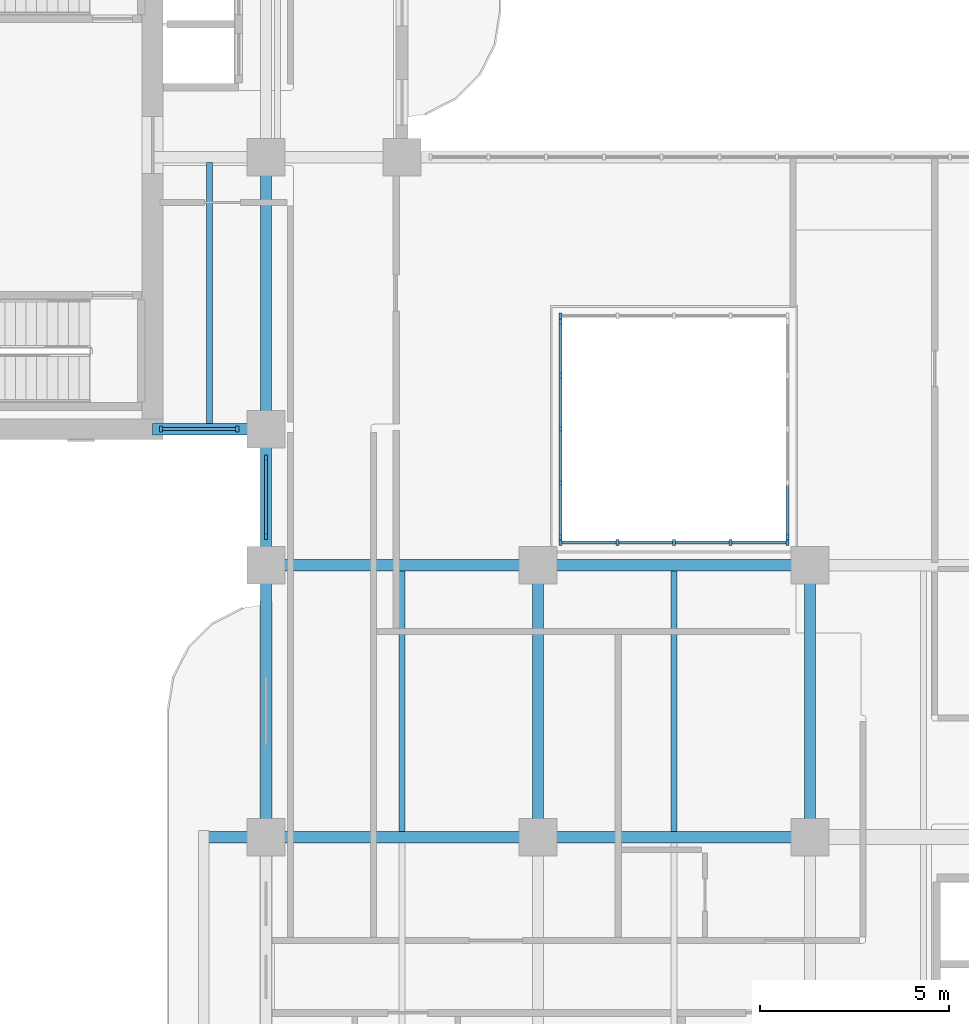
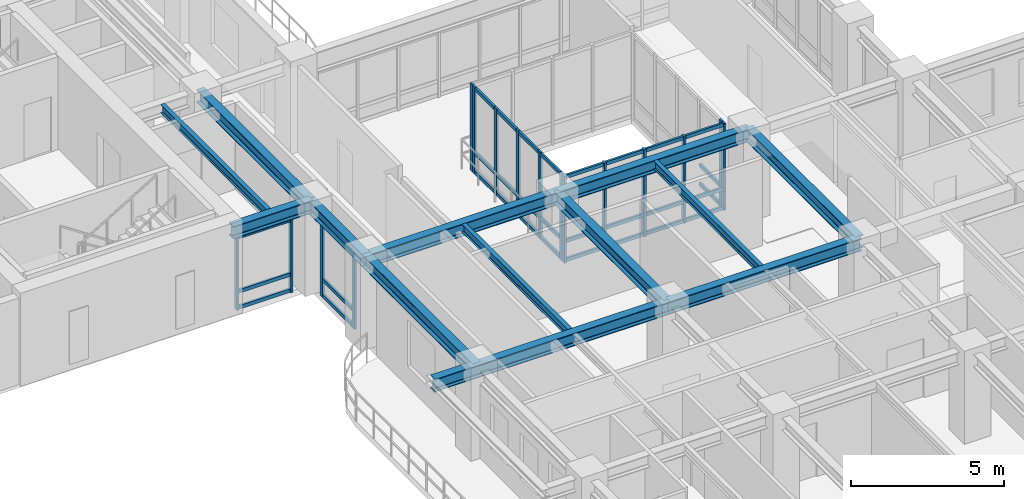
# One storey, part 2 of 20: 48 members, 13 beams, 6 elements without a shape of their own.
"""IFC4 building model written with IfcOpenShell, lengths in metres."""

from ifc_helpers import new_model, si_unit, derived_unit, direction, frame, origin, origin_2d, place, context, subcontext, project, spatial, rectangle, i_section, extrude, source, transform, mapped, material, layer, layer_set, material_profile, profile_set, type_object, type_shapes, element, aggregate, save


model = new_model("IFC4")

# Units and contexts
model_context = context("Model", 3, precision=1e-05, world=origin(), true_north=direction((0.0, 1.0)))
body_context = subcontext(model_context, "Body", "Model", "MODEL_VIEW")
ifc_project = project(units=[si_unit("LENGTHUNIT", "METRE"), si_unit("AREAUNIT", "SQUARE_METRE"), si_unit("VOLUMEUNIT", "CUBIC_METRE"), si_unit("PLANEANGLEUNIT", "RADIAN"), si_unit("MASSUNIT", "GRAM", prefix="KILO"), si_unit("THERMODYNAMICTEMPERATUREUNIT", "KELVIN"), si_unit("POWERUNIT", "WATT"), derived_unit("THERMALTRANSMITTANCEUNIT", [(si_unit("POWERUNIT", "WATT"), 1), (si_unit("AREAUNIT", "SQUARE_METRE"), -1), (si_unit("THERMODYNAMICTEMPERATUREUNIT", "KELVIN"), -1)])], contexts=[model_context])

# Site, building, storey
site_placement = place(None, origin())
site = spatial("IfcSite", under=ifc_project, at=site_placement, CompositionType="ELEMENT")
building_placement = place(site_placement, origin())
building = spatial("IfcBuilding", under=site, at=building_placement, Name="Zahravan Archway Hotel and Residences", CompositionType="ELEMENT")
storey_placement = place(building_placement, frame((0.0, 0.0, 115.5)))
storey = spatial("IfcBuildingStorey", under=building, at=storey_placement, Name="L28", CompositionType="ELEMENT", Elevation=115.5)

# Beams
ifc_material_1 = material(Name="Structural Steel S355JR", Category="steel")
ifc_material_profile_1 = material_profile(ifc_material_1, i_section(OverallWidth=0.300048828125, OverallDepth=0.5, WebThickness=0.014404296875, FlangeThickness=0.028076171875, FilletRadius=0.027099609375, at=origin_2d()), Name="HEB 500", Category="steel")
ifc_profile_set_1 = profile_set([ifc_material_profile_1], Name="Structural Steel S355JR")
beam_type_1 = type_object("IfcBeamType", Name="BM-PRI-HEB500", PredefinedType="BEAM", material=ifc_profile_set_1)
shared_shape_1 = source(origin(), body_context, "Body", "SweptSolid", [
    extrude(i_section(OverallWidth=0.300048828125, OverallDepth=0.5, WebThickness=0.014404296875, FlangeThickness=0.028076171875, FilletRadius=0.027099609375, at=origin_2d()), origin(), (0.0, 0.0, 1.0), 7.2001953125),
])
type_shapes(beam_type_1, [shared_shape_1])
for number, where, z_axis, x_axis, name in (
    (1, (14.39990234375, 21.60009765625, 3.199951171875), (1.0, 0.0, 0.0), (0.0, 1.0, 0.0), "L28 Primary Girder EW-11"),
    (2, (14.39990234375, 14.39990234375, 3.199951171875), (0.0, 1.0, 0.0), (-1.0, 0.0, 0.0), "L28 Primary Girder NS-30"),
    (3, (21.60009765625, 14.39990234375, 3.199951171875), (0.0, 1.0, 0.0), (-1.0, 0.0, 0.0), "L28 Primary Girder NS-37"),
    (4, (28.800048828125, 14.39990234375, 3.199951171875), (0.0, 1.0, 0.0), (-1.0, 0.0, 0.0), "L28 Primary Girder NS-40"),
):
    element("IfcBeam", number, at=place(storey_placement, frame(where, z_axis=z_axis, x_axis=x_axis)), inside=storey, type_object=beam_type_1, Name=name, PredefinedType="BEAM", context=body_context, shape_type="MappedRepresentation", body=[
        mapped(shared_shape_1, transform((0.0, 0.0, 0.0), scale=1.0)),
    ])
shared_shape_2 = source(origin(), body_context, "Body", "SweptSolid", [
    extrude(i_section(OverallWidth=0.300048828125, OverallDepth=0.5, WebThickness=0.014404296875, FlangeThickness=0.028076171875, FilletRadius=0.027099609375, at=origin_2d()), origin(), (0.0, 0.0, 1.0), 7.199951171875),
])
for number, where, z_axis, x_axis, name in (
    (5, (21.60009765625, 14.39990234375, 3.199951171875), (1.0, 0.0, 0.0), (0.0, 1.0, 0.0), "L28 Primary Girder EW-10"),
    (6, (21.60009765625, 21.60009765625, 3.199951171875), (1.0, 0.0, 0.0), (0.0, 1.0, 0.0), "L28 Primary Girder EW-12"),
    (7, (14.39990234375, 25.199951171875, 3.199951171875), (0.0, 1.0, 0.0), (-1.0, 0.0, 0.0), "L28 Primary Girder NS-32"),
):
    element("IfcBeam", number, at=place(storey_placement, frame(where, z_axis=z_axis, x_axis=x_axis)), inside=storey, type_object=beam_type_1, Name=name, PredefinedType="BEAM", context=body_context, shape_type="MappedRepresentation", body=[
        mapped(shared_shape_2, transform((0.0, 0.0, 0.0), scale=1.0)),
    ])
shared_shape_3 = source(origin(), body_context, "Body", "SweptSolid", [
    extrude(i_section(OverallWidth=0.300048828125, OverallDepth=0.5, WebThickness=0.014404296875, FlangeThickness=0.028076171875, FilletRadius=0.027099609375, at=origin_2d()), origin(), (0.0, 0.0, 1.0), 3.0),
])
beam_1_placement = place(storey_placement, frame((11.39990234375, 25.199951171875, 3.199951171875), z_axis=(1.0, 0.0, 0.0), x_axis=(0.0, 1.0, 0.0)))
element("IfcBeam", 8, at=beam_1_placement, inside=storey, type_object=beam_type_1, Name="L28 Primary Girder EW-16", PredefinedType="BEAM", context=body_context, shape_type="MappedRepresentation", body=[
    mapped(shared_shape_3, transform((0.0, 0.0, 0.0), scale=1.0)),
])
shared_shape_4 = source(origin(), body_context, "Body", "SweptSolid", [
    extrude(i_section(OverallWidth=0.300048828125, OverallDepth=0.5, WebThickness=0.014404296875, FlangeThickness=0.028076171875, FilletRadius=0.027099609375, at=origin_2d()), origin(), (0.0, 0.0, 1.0), 3.599853515625),
])
beam_2_placement = place(storey_placement, frame((14.39990234375, 21.60009765625, 3.199951171875), z_axis=(0.0, 1.0, 0.0), x_axis=(-1.0, 0.0, 0.0)))
element("IfcBeam", 9, at=beam_2_placement, inside=storey, type_object=beam_type_1, Name="L28 Primary Girder NS-31", PredefinedType="BEAM", context=body_context, shape_type="MappedRepresentation", body=[
    mapped(shared_shape_4, transform((0.0, 0.0, 0.0), scale=1.0)),
])
ifc_material_profile_2 = material_profile(ifc_material_1, i_section(OverallWidth=0.159912109375, OverallDepth=0.330078125, WebThickness=0.007568359375, FlangeThickness=0.011474609375, FilletRadius=0.01806640625, at=origin_2d()), Name="IPE 330", Category="steel")
ifc_profile_set_2 = profile_set([ifc_material_profile_2], Name="Structural Steel S355JR")
beam_type_2 = type_object("IfcBeamType", Name="BM-JST-IPE330", PredefinedType="JOIST", material=ifc_profile_set_2)
shared_shape_5 = source(origin(), body_context, "Body", "SweptSolid", [
    extrude(i_section(OverallWidth=0.159912109375, OverallDepth=0.330078125, WebThickness=0.007568359375, FlangeThickness=0.011474609375, FilletRadius=0.01806640625, at=origin_2d()), origin(), (0.0, 0.0, 1.0), 6.904052734375),
])
type_shapes(beam_type_2, [shared_shape_5])
beam_3_placement = place(storey_placement, frame((12.89990234375, 25.347900390625, 3.284912109375), z_axis=(0.0, 1.0, 0.0), x_axis=(-1.0, 0.0, 0.0)))
element("IfcBeam", 10, at=beam_3_placement, inside=storey, type_object=beam_type_2, Name="L28 Composite Floor Joist 10", PredefinedType="JOIST", context=body_context, shape_type="MappedRepresentation", body=[
    mapped(shared_shape_5, transform((0.0, 0.0, 0.0), scale=1.0)),
])
shared_shape_6 = source(origin(), body_context, "Body", "SweptSolid", [
    extrude(i_section(OverallWidth=0.159912109375, OverallDepth=0.330078125, WebThickness=0.007568359375, FlangeThickness=0.011474609375, FilletRadius=0.01806640625, at=origin_2d()), origin(), (0.0, 0.0, 1.0), 6.90380859375),
])
for number, where, z_axis, x_axis, name in (
    (11, (18.0, 14.548095703125, 3.284912109375), (0.0, 1.0, 0.0), (-1.0, 0.0, 0.0), "L28 Composite Floor Joist 08"),
    (12, (25.199951171875, 14.548095703125, 3.284912109375), (0.0, 1.0, 0.0), (-1.0, 0.0, 0.0), "L28 Composite Floor Joist 09"),
):
    element("IfcBeam", number, at=place(storey_placement, frame(where, z_axis=z_axis, x_axis=x_axis)), inside=storey, type_object=beam_type_2, Name=name, PredefinedType="JOIST", context=body_context, shape_type="MappedRepresentation", body=[
        mapped(shared_shape_6, transform((0.0, 0.0, 0.0), scale=1.0)),
    ])
shared_shape_7 = source(origin(), body_context, "Body", "SweptSolid", [
    extrude(i_section(OverallWidth=0.300048828125, OverallDepth=0.5, WebThickness=0.014404296875, FlangeThickness=0.028076171875, FilletRadius=0.027099609375, at=origin_2d()), origin(), (0.0, 0.0, 1.0), 8.85009765625),
])
beam_4_placement = place(storey_placement, frame((12.75, 14.39990234375, 3.199951171875), z_axis=(1.0, 0.0, 0.0), x_axis=(0.0, 1.0, 0.0)))
element("IfcBeam", 13, at=beam_4_placement, inside=storey, type_object=beam_type_1, Name="L28 Primary Girder EW-09", PredefinedType="BEAM", context=body_context, shape_type="MappedRepresentation", body=[
    mapped(shared_shape_7, transform((0.0, 0.0, 0.0), scale=1.0)),
])

# Curtain wall, members
ifc_material_2 = material(Name="Bronze-Anodized Unitised Aluminium & Low-E Glass", Category="aluminium")
ifc_layer = layer(ifc_material_2, 0.179931640625, Name="Bronze-Anodized Unitised Aluminium & Low-E Glass", Category="aluminium")
ifc_layer_set = layer_set([ifc_layer], Name="Bronze-Anodized Unitised Aluminium & Low-E Glass")
curtain_wall_type = type_object("IfcCurtainWallType", Name="CW-ATR-GLAZ", PredefinedType="NOTDEFINED", material=ifc_layer_set)
curtain_wall_1_placement = place(storey_placement, origin())
curtain_wall_1 = element("IfcCurtainWall", 14, at=curtain_wall_1_placement, inside=storey, type_object=curtain_wall_type, Name="L28 Curtain Wall CW-L28-WB-SE-1", PredefinedType="NOTDEFINED")
ifc_material_3 = material(Name="Bronze-Anodized Extruded Aluminium", Category="aluminium")
ifc_material_profile_3 = material_profile(ifc_material_3, rectangle(XDim=0.080078125, YDim=0.139892578125, at=origin_2d()), Name="TRN 80x140", Category="aluminium")
ifc_profile_set_3 = profile_set([ifc_material_profile_3], Name="Bronze-Anodized Extruded Aluminium")
member_type_1 = type_object("IfcMemberType", Name="CWM-TRN-140", PredefinedType="USERDEFINED", material=ifc_profile_set_3)
shared_shape_8 = source(origin(), body_context, "Body", "SweptSolid", [
    extrude(rectangle(XDim=0.080078125, YDim=0.139892578125, at=origin_2d()), origin(), (0.0, 0.0, 1.0), 1.940185546875),
])
member_1_placement = place(storey_placement, frame((11.659912109375, 25.199951171875, 0.070068359375), z_axis=(1.0, 0.0, 0.0), x_axis=(0.0, 1.0, 0.0)))
member_1 = element("IfcMember", 15, at=member_1_placement, type_object=member_type_1, Name="CW-L28-WB-SE-1 Transom 0-1", ObjectType="TRANSOM", PredefinedType="USERDEFINED", context=body_context, shape_type="MappedRepresentation", body=[
    mapped(shared_shape_8, transform((0.0, 0.0, 0.0), scale=1.0)),
])
member_2_placement = place(storey_placement, frame((11.659912109375, 25.199951171875, 0.704345703125), z_axis=(1.0, 0.0, 0.0), x_axis=(0.0, 1.0, 0.0)))
member_2 = element("IfcMember", 16, at=member_2_placement, type_object=member_type_1, Name="CW-L28-WB-SE-1 Transom 0-2", ObjectType="TRANSOM", PredefinedType="USERDEFINED", context=body_context, shape_type="MappedRepresentation", body=[
    mapped(shared_shape_8, transform((0.0, 0.0, 0.0), scale=1.0)),
])
member_3_placement = place(storey_placement, frame((11.659912109375, 25.199951171875, 2.864990234375), z_axis=(1.0, 0.0, 0.0), x_axis=(0.0, 1.0, 0.0)))
member_3 = element("IfcMember", 17, at=member_3_placement, type_object=member_type_1, Name="CW-L28-WB-SE-1 Transom 0-3", ObjectType="TRANSOM", PredefinedType="USERDEFINED", context=body_context, shape_type="MappedRepresentation", body=[
    mapped(shared_shape_8, transform((0.0, 0.0, 0.0), scale=1.0)),
])

curtain_wall_2_placement = place(storey_placement, origin())
curtain_wall_2 = element("IfcCurtainWall", 18, at=curtain_wall_2_placement, inside=storey, type_object=curtain_wall_type, Name="L28 Curtain Wall CW-L28-WA-WLU-1", PredefinedType="NOTDEFINED")
shared_shape_9 = source(origin(), body_context, "Body", "SweptSolid", [
    extrude(rectangle(XDim=0.080078125, YDim=0.139892578125, at=origin_2d()), origin(), (0.0, 0.0, 1.0), 2.0),
])
member_4_placement = place(storey_placement, frame((14.39990234375, 22.39990234375, 0.070068359375), z_axis=(0.0, 1.0, 0.0), x_axis=(-1.0, 0.0, 0.0)))
member_4 = element("IfcMember", 19, at=member_4_placement, type_object=member_type_1, Name="CW-L28-WA-WLU-1 Transom 0-1", ObjectType="TRANSOM", PredefinedType="USERDEFINED", context=body_context, shape_type="MappedRepresentation", body=[
    mapped(shared_shape_9, transform((0.0, 0.0, 0.0), scale=1.0)),
])
member_5_placement = place(storey_placement, frame((14.39990234375, 22.39990234375, 0.704345703125), z_axis=(0.0, 1.0, 0.0), x_axis=(-1.0, 0.0, 0.0)))
member_5 = element("IfcMember", 20, at=member_5_placement, type_object=member_type_1, Name="CW-L28-WA-WLU-1 Transom 0-2", ObjectType="TRANSOM", PredefinedType="USERDEFINED", context=body_context, shape_type="MappedRepresentation", body=[
    mapped(shared_shape_9, transform((0.0, 0.0, 0.0), scale=1.0)),
])
member_6_placement = place(storey_placement, frame((14.39990234375, 22.39990234375, 2.864990234375), z_axis=(0.0, 1.0, 0.0), x_axis=(-1.0, 0.0, 0.0)))
member_6 = element("IfcMember", 21, at=member_6_placement, type_object=member_type_1, Name="CW-L28-WA-WLU-1 Transom 0-3", ObjectType="TRANSOM", PredefinedType="USERDEFINED", context=body_context, shape_type="MappedRepresentation", body=[
    mapped(shared_shape_9, transform((0.0, 0.0, 0.0), scale=1.0)),
])

curtain_wall_3_placement = place(storey_placement, origin())
curtain_wall_3 = element("IfcCurtainWall", 22, at=curtain_wall_3_placement, inside=storey, type_object=curtain_wall_type, Name="L28 Curtain Wall CW-ATR-L28-S-1", PredefinedType="NOTDEFINED")
ifc_material_profile_4 = material_profile(ifc_material_3, rectangle(XDim=0.080078125, YDim=0.159912109375, at=origin_2d()), Name="MUL 80x160", Category="aluminium")
ifc_profile_set_4 = profile_set([ifc_material_profile_4], Name="Bronze-Anodized Extruded Aluminium")
member_type_2 = type_object("IfcMemberType", Name="CWM-MUL-160", PredefinedType="MULLION", material=ifc_profile_set_4)
shared_shape_10 = source(origin(), body_context, "Body", "SweptSolid", [
    extrude(rectangle(XDim=0.080078125, YDim=0.159912109375, at=origin_2d()), origin(), (0.0, 0.0, 1.0), 3.449951171875),
])
member_7_placement = place(storey_placement, frame((22.199951171875, 22.199951171875, 0.0), z_axis=(0.0, 0.0, 1.0), x_axis=(1.0, 0.0, 0.0)))
member_7 = element("IfcMember", 23, at=member_7_placement, type_object=member_type_2, Name="CW-ATR-L28-S-1 Mullion 0", PredefinedType="MULLION", context=body_context, shape_type="MappedRepresentation", body=[
    mapped(shared_shape_10, transform((0.0, 0.0, 0.0), scale=1.0)),
])
member_8_placement = place(storey_placement, frame((23.699951171875, 22.199951171875, 0.0), z_axis=(0.0, 0.0, 1.0), x_axis=(1.0, 0.0, 0.0)))
member_8 = element("IfcMember", 24, at=member_8_placement, type_object=member_type_2, Name="CW-ATR-L28-S-1 Mullion 1", PredefinedType="MULLION", context=body_context, shape_type="MappedRepresentation", body=[
    mapped(shared_shape_10, transform((0.0, 0.0, 0.0), scale=1.0)),
])
member_9_placement = place(storey_placement, frame((25.199951171875, 22.199951171875, 0.0), z_axis=(0.0, 0.0, 1.0), x_axis=(1.0, 0.0, 0.0)))
member_9 = element("IfcMember", 25, at=member_9_placement, type_object=member_type_2, Name="CW-ATR-L28-S-1 Mullion 2", PredefinedType="MULLION", context=body_context, shape_type="MappedRepresentation", body=[
    mapped(shared_shape_10, transform((0.0, 0.0, 0.0), scale=1.0)),
])
member_10_placement = place(storey_placement, frame((26.699951171875, 22.199951171875, 0.0), z_axis=(0.0, 0.0, 1.0), x_axis=(1.0, 0.0, 0.0)))
member_10 = element("IfcMember", 26, at=member_10_placement, type_object=member_type_2, Name="CW-ATR-L28-S-1 Mullion 3", PredefinedType="MULLION", context=body_context, shape_type="MappedRepresentation", body=[
    mapped(shared_shape_10, transform((0.0, 0.0, 0.0), scale=1.0)),
])
member_11_placement = place(storey_placement, frame((28.199951171875, 22.199951171875, 0.0), z_axis=(0.0, 0.0, 1.0), x_axis=(1.0, 0.0, 0.0)))
member_11 = element("IfcMember", 27, at=member_11_placement, type_object=member_type_2, Name="CW-ATR-L28-S-1 Mullion 4", PredefinedType="MULLION", context=body_context, shape_type="MappedRepresentation", body=[
    mapped(shared_shape_10, transform((0.0, 0.0, 0.0), scale=1.0)),
])

# Curtain wall, member
curtain_wall_4_placement = place(storey_placement, origin())
curtain_wall_4 = element("IfcCurtainWall", 28, at=curtain_wall_4_placement, inside=storey, type_object=curtain_wall_type, Name="L28 Curtain Wall CW-ATR-L28-N-1", PredefinedType="NOTDEFINED")
member_12_placement = place(storey_placement, frame((22.199951171875, 28.199951171875, 0.0), z_axis=(0.0, 0.0, 1.0), x_axis=(1.0, 0.0, 0.0)))
member_12 = element("IfcMember", 29, at=member_12_placement, type_object=member_type_2, Name="CW-ATR-L28-N-1 Mullion 0", PredefinedType="MULLION", context=body_context, shape_type="MappedRepresentation", body=[
    mapped(shared_shape_10, transform((0.0, 0.0, 0.0), scale=1.0)),
])
aggregate(curtain_wall_4, [member_12])

# Curtain wall, members
curtain_wall_5_placement = place(storey_placement, origin())
curtain_wall_5 = element("IfcCurtainWall", 30, at=curtain_wall_5_placement, inside=storey, type_object=curtain_wall_type, Name="L28 Curtain Wall CW-ATR-L28-W-1", PredefinedType="NOTDEFINED")
member_13_placement = place(storey_placement, frame((22.199951171875, 22.35009765625, 0.0), z_axis=(0.0, 0.0, 1.0), x_axis=(1.0, 0.0, 0.0)))
member_13 = element("IfcMember", 31, at=member_13_placement, type_object=member_type_2, Name="CW-ATR-L28-W-1 Mullion 0", PredefinedType="MULLION", context=body_context, shape_type="MappedRepresentation", body=[
    mapped(shared_shape_10, transform((0.0, 0.0, 0.0), scale=1.0)),
])
member_14_placement = place(storey_placement, frame((22.199951171875, 23.77490234375, 0.0), z_axis=(0.0, 0.0, 1.0), x_axis=(1.0, 0.0, 0.0)))
member_14 = element("IfcMember", 32, at=member_14_placement, type_object=member_type_2, Name="CW-ATR-L28-W-1 Mullion 1", PredefinedType="MULLION", context=body_context, shape_type="MappedRepresentation", body=[
    mapped(shared_shape_10, transform((0.0, 0.0, 0.0), scale=1.0)),
])
member_15_placement = place(storey_placement, frame((22.199951171875, 25.199951171875, 0.0), z_axis=(0.0, 0.0, 1.0), x_axis=(1.0, 0.0, 0.0)))
member_15 = element("IfcMember", 33, at=member_15_placement, type_object=member_type_2, Name="CW-ATR-L28-W-1 Mullion 2", PredefinedType="MULLION", context=body_context, shape_type="MappedRepresentation", body=[
    mapped(shared_shape_10, transform((0.0, 0.0, 0.0), scale=1.0)),
])
member_16_placement = place(storey_placement, frame((22.199951171875, 26.625, 0.0), z_axis=(0.0, 0.0, 1.0), x_axis=(1.0, 0.0, 0.0)))
member_16 = element("IfcMember", 34, at=member_16_placement, type_object=member_type_2, Name="CW-ATR-L28-W-1 Mullion 3", PredefinedType="MULLION", context=body_context, shape_type="MappedRepresentation", body=[
    mapped(shared_shape_10, transform((0.0, 0.0, 0.0), scale=1.0)),
])
member_17_placement = place(storey_placement, frame((22.199951171875, 28.050048828125, 0.0), z_axis=(0.0, 0.0, 1.0), x_axis=(1.0, 0.0, 0.0)))
member_17 = element("IfcMember", 35, at=member_17_placement, type_object=member_type_2, Name="CW-ATR-L28-W-1 Mullion 4", PredefinedType="MULLION", context=body_context, shape_type="MappedRepresentation", body=[
    mapped(shared_shape_10, transform((0.0, 0.0, 0.0), scale=1.0)),
])

# Curtain wall, member
curtain_wall_6_placement = place(storey_placement, origin())
curtain_wall_6 = element("IfcCurtainWall", 36, at=curtain_wall_6_placement, inside=storey, type_object=curtain_wall_type, Name="L28 Curtain Wall CW-ATR-L28-E-1", PredefinedType="NOTDEFINED")
member_18_placement = place(storey_placement, frame((28.199951171875, 22.35009765625, 0.0), z_axis=(0.0, 0.0, 1.0), x_axis=(1.0, 0.0, 0.0)))
member_18 = element("IfcMember", 37, at=member_18_placement, type_object=member_type_2, Name="CW-ATR-L28-E-1 Mullion 0", PredefinedType="MULLION", context=body_context, shape_type="MappedRepresentation", body=[
    mapped(shared_shape_10, transform((0.0, 0.0, 0.0), scale=1.0)),
])

# Member
shared_shape_11 = source(origin(), body_context, "Body", "SweptSolid", [
    extrude(rectangle(XDim=0.080078125, YDim=0.139892578125, at=origin_2d()), origin(), (0.0, 0.0, 1.0), 1.419921875),
])
member_19_placement = place(storey_placement, frame((22.239990234375, 22.199951171875, 0.070068359375), z_axis=(1.0, 0.0, 0.0), x_axis=(0.0, 1.0, 0.0)))
member_19 = element("IfcMember", 38, at=member_19_placement, type_object=member_type_1, Name="CW-ATR-L28-S-1 Transom 0-1", ObjectType="TRANSOM", PredefinedType="USERDEFINED", context=body_context, shape_type="MappedRepresentation", body=[
    mapped(shared_shape_11, transform((0.0, 0.0, 0.0), scale=1.0)),
])

member_20_placement = place(storey_placement, frame((22.239990234375, 22.199951171875, 0.827880859375), z_axis=(1.0, 0.0, 0.0), x_axis=(0.0, 1.0, 0.0)))
member_20 = element("IfcMember", 39, at=member_20_placement, type_object=member_type_1, Name="CW-ATR-L28-S-1 Transom 0-2", ObjectType="TRANSOM", PredefinedType="USERDEFINED", context=body_context, shape_type="MappedRepresentation", body=[
    mapped(shared_shape_11, transform((0.0, 0.0, 0.0), scale=1.0)),
])

member_21_placement = place(storey_placement, frame((22.239990234375, 22.199951171875, 3.3798828125), z_axis=(1.0, 0.0, 0.0), x_axis=(0.0, 1.0, 0.0)))
member_21 = element("IfcMember", 40, at=member_21_placement, type_object=member_type_1, Name="CW-ATR-L28-S-1 Transom 0-3", ObjectType="TRANSOM", PredefinedType="USERDEFINED", context=body_context, shape_type="MappedRepresentation", body=[
    mapped(shared_shape_11, transform((0.0, 0.0, 0.0), scale=1.0)),
])

member_22_placement = place(storey_placement, frame((23.739990234375, 22.199951171875, 0.070068359375), z_axis=(1.0, 0.0, 0.0), x_axis=(0.0, 1.0, 0.0)))
member_22 = element("IfcMember", 41, at=member_22_placement, type_object=member_type_1, Name="CW-ATR-L28-S-1 Transom 1-1", ObjectType="TRANSOM", PredefinedType="USERDEFINED", context=body_context, shape_type="MappedRepresentation", body=[
    mapped(shared_shape_11, transform((0.0, 0.0, 0.0), scale=1.0)),
])

member_23_placement = place(storey_placement, frame((23.739990234375, 22.199951171875, 0.827880859375), z_axis=(1.0, 0.0, 0.0), x_axis=(0.0, 1.0, 0.0)))
member_23 = element("IfcMember", 42, at=member_23_placement, type_object=member_type_1, Name="CW-ATR-L28-S-1 Transom 1-2", ObjectType="TRANSOM", PredefinedType="USERDEFINED", context=body_context, shape_type="MappedRepresentation", body=[
    mapped(shared_shape_11, transform((0.0, 0.0, 0.0), scale=1.0)),
])

member_24_placement = place(storey_placement, frame((23.739990234375, 22.199951171875, 3.3798828125), z_axis=(1.0, 0.0, 0.0), x_axis=(0.0, 1.0, 0.0)))
member_24 = element("IfcMember", 43, at=member_24_placement, type_object=member_type_1, Name="CW-ATR-L28-S-1 Transom 1-3", ObjectType="TRANSOM", PredefinedType="USERDEFINED", context=body_context, shape_type="MappedRepresentation", body=[
    mapped(shared_shape_11, transform((0.0, 0.0, 0.0), scale=1.0)),
])

member_25_placement = place(storey_placement, frame((25.239990234375, 22.199951171875, 0.070068359375), z_axis=(1.0, 0.0, 0.0), x_axis=(0.0, 1.0, 0.0)))
member_25 = element("IfcMember", 44, at=member_25_placement, type_object=member_type_1, Name="CW-ATR-L28-S-1 Transom 2-1", ObjectType="TRANSOM", PredefinedType="USERDEFINED", context=body_context, shape_type="MappedRepresentation", body=[
    mapped(shared_shape_11, transform((0.0, 0.0, 0.0), scale=1.0)),
])

member_26_placement = place(storey_placement, frame((25.239990234375, 22.199951171875, 0.827880859375), z_axis=(1.0, 0.0, 0.0), x_axis=(0.0, 1.0, 0.0)))
member_26 = element("IfcMember", 45, at=member_26_placement, type_object=member_type_1, Name="CW-ATR-L28-S-1 Transom 2-2", ObjectType="TRANSOM", PredefinedType="USERDEFINED", context=body_context, shape_type="MappedRepresentation", body=[
    mapped(shared_shape_11, transform((0.0, 0.0, 0.0), scale=1.0)),
])

member_27_placement = place(storey_placement, frame((25.239990234375, 22.199951171875, 3.3798828125), z_axis=(1.0, 0.0, 0.0), x_axis=(0.0, 1.0, 0.0)))
member_27 = element("IfcMember", 46, at=member_27_placement, type_object=member_type_1, Name="CW-ATR-L28-S-1 Transom 2-3", ObjectType="TRANSOM", PredefinedType="USERDEFINED", context=body_context, shape_type="MappedRepresentation", body=[
    mapped(shared_shape_11, transform((0.0, 0.0, 0.0), scale=1.0)),
])

member_28_placement = place(storey_placement, frame((26.739990234375, 22.199951171875, 0.070068359375), z_axis=(1.0, 0.0, 0.0), x_axis=(0.0, 1.0, 0.0)))
member_28 = element("IfcMember", 47, at=member_28_placement, type_object=member_type_1, Name="CW-ATR-L28-S-1 Transom 3-1", ObjectType="TRANSOM", PredefinedType="USERDEFINED", context=body_context, shape_type="MappedRepresentation", body=[
    mapped(shared_shape_11, transform((0.0, 0.0, 0.0), scale=1.0)),
])

member_29_placement = place(storey_placement, frame((26.739990234375, 22.199951171875, 0.827880859375), z_axis=(1.0, 0.0, 0.0), x_axis=(0.0, 1.0, 0.0)))
member_29 = element("IfcMember", 48, at=member_29_placement, type_object=member_type_1, Name="CW-ATR-L28-S-1 Transom 3-2", ObjectType="TRANSOM", PredefinedType="USERDEFINED", context=body_context, shape_type="MappedRepresentation", body=[
    mapped(shared_shape_11, transform((0.0, 0.0, 0.0), scale=1.0)),
])

member_30_placement = place(storey_placement, frame((26.739990234375, 22.199951171875, 3.3798828125), z_axis=(1.0, 0.0, 0.0), x_axis=(0.0, 1.0, 0.0)))
member_30 = element("IfcMember", 49, at=member_30_placement, type_object=member_type_1, Name="CW-ATR-L28-S-1 Transom 3-3", ObjectType="TRANSOM", PredefinedType="USERDEFINED", context=body_context, shape_type="MappedRepresentation", body=[
    mapped(shared_shape_11, transform((0.0, 0.0, 0.0), scale=1.0)),
])

aggregate(curtain_wall_3, [member_7, member_8, member_9, member_10, member_11, member_19, member_20, member_21, member_22, member_23, member_24, member_25, member_26, member_27, member_28, member_29, member_30])

shared_shape_12 = source(origin(), body_context, "Body", "SweptSolid", [
    extrude(rectangle(XDim=0.080078125, YDim=0.139892578125, at=origin_2d()), origin(), (0.0, 0.0, 1.0), 1.34521484375),
])
member_31_placement = place(storey_placement, frame((22.199951171875, 22.389892578125, 0.070068359375), z_axis=(0.0, 1.0, 0.0), x_axis=(-1.0, 0.0, 0.0)))
member_31 = element("IfcMember", 50, at=member_31_placement, type_object=member_type_1, Name="CW-ATR-L28-W-1 Transom 0-1", ObjectType="TRANSOM", PredefinedType="USERDEFINED", context=body_context, shape_type="MappedRepresentation", body=[
    mapped(shared_shape_12, transform((0.0, 0.0, 0.0), scale=1.0)),
])

member_32_placement = place(storey_placement, frame((22.199951171875, 22.389892578125, 0.827880859375), z_axis=(0.0, 1.0, 0.0), x_axis=(-1.0, 0.0, 0.0)))
member_32 = element("IfcMember", 51, at=member_32_placement, type_object=member_type_1, Name="CW-ATR-L28-W-1 Transom 0-2", ObjectType="TRANSOM", PredefinedType="USERDEFINED", context=body_context, shape_type="MappedRepresentation", body=[
    mapped(shared_shape_12, transform((0.0, 0.0, 0.0), scale=1.0)),
])

member_33_placement = place(storey_placement, frame((22.199951171875, 22.389892578125, 3.3798828125), z_axis=(0.0, 1.0, 0.0), x_axis=(-1.0, 0.0, 0.0)))
member_33 = element("IfcMember", 52, at=member_33_placement, type_object=member_type_1, Name="CW-ATR-L28-W-1 Transom 0-3", ObjectType="TRANSOM", PredefinedType="USERDEFINED", context=body_context, shape_type="MappedRepresentation", body=[
    mapped(shared_shape_12, transform((0.0, 0.0, 0.0), scale=1.0)),
])

member_34_placement = place(storey_placement, frame((28.199951171875, 22.389892578125, 0.070068359375), z_axis=(0.0, 1.0, 0.0), x_axis=(-1.0, 0.0, 0.0)))
member_34 = element("IfcMember", 53, at=member_34_placement, type_object=member_type_1, Name="CW-ATR-L28-E-1 Transom 0-1", ObjectType="TRANSOM", PredefinedType="USERDEFINED", context=body_context, shape_type="MappedRepresentation", body=[
    mapped(shared_shape_12, transform((0.0, 0.0, 0.0), scale=1.0)),
])

member_35_placement = place(storey_placement, frame((28.199951171875, 22.389892578125, 0.827880859375), z_axis=(0.0, 1.0, 0.0), x_axis=(-1.0, 0.0, 0.0)))
member_35 = element("IfcMember", 54, at=member_35_placement, type_object=member_type_1, Name="CW-ATR-L28-E-1 Transom 0-2", ObjectType="TRANSOM", PredefinedType="USERDEFINED", context=body_context, shape_type="MappedRepresentation", body=[
    mapped(shared_shape_12, transform((0.0, 0.0, 0.0), scale=1.0)),
])

aggregate(curtain_wall_6, [member_18, member_34, member_35])

shared_shape_13 = source(origin(), body_context, "Body", "SweptSolid", [
    extrude(rectangle(XDim=0.080078125, YDim=0.139892578125, at=origin_2d()), origin(), (0.0, 0.0, 1.0), 1.344970703125),
])
member_36_placement = place(storey_placement, frame((22.199951171875, 23.81494140625, 0.070068359375), z_axis=(0.0, 1.0, 0.0), x_axis=(-1.0, 0.0, 0.0)))
member_36 = element("IfcMember", 55, at=member_36_placement, type_object=member_type_1, Name="CW-ATR-L28-W-1 Transom 1-1", ObjectType="TRANSOM", PredefinedType="USERDEFINED", context=body_context, shape_type="MappedRepresentation", body=[
    mapped(shared_shape_13, transform((0.0, 0.0, 0.0), scale=1.0)),
])

member_37_placement = place(storey_placement, frame((22.199951171875, 23.81494140625, 0.827880859375), z_axis=(0.0, 1.0, 0.0), x_axis=(-1.0, 0.0, 0.0)))
member_37 = element("IfcMember", 56, at=member_37_placement, type_object=member_type_1, Name="CW-ATR-L28-W-1 Transom 1-2", ObjectType="TRANSOM", PredefinedType="USERDEFINED", context=body_context, shape_type="MappedRepresentation", body=[
    mapped(shared_shape_13, transform((0.0, 0.0, 0.0), scale=1.0)),
])

member_38_placement = place(storey_placement, frame((22.199951171875, 23.81494140625, 3.3798828125), z_axis=(0.0, 1.0, 0.0), x_axis=(-1.0, 0.0, 0.0)))
member_38 = element("IfcMember", 57, at=member_38_placement, type_object=member_type_1, Name="CW-ATR-L28-W-1 Transom 1-3", ObjectType="TRANSOM", PredefinedType="USERDEFINED", context=body_context, shape_type="MappedRepresentation", body=[
    mapped(shared_shape_13, transform((0.0, 0.0, 0.0), scale=1.0)),
])

member_39_placement = place(storey_placement, frame((22.199951171875, 25.239990234375, 0.070068359375), z_axis=(0.0, 1.0, 0.0), x_axis=(-1.0, 0.0, 0.0)))
member_39 = element("IfcMember", 58, at=member_39_placement, type_object=member_type_1, Name="CW-ATR-L28-W-1 Transom 2-1", ObjectType="TRANSOM", PredefinedType="USERDEFINED", context=body_context, shape_type="MappedRepresentation", body=[
    mapped(shared_shape_13, transform((0.0, 0.0, 0.0), scale=1.0)),
])

member_40_placement = place(storey_placement, frame((22.199951171875, 25.239990234375, 0.827880859375), z_axis=(0.0, 1.0, 0.0), x_axis=(-1.0, 0.0, 0.0)))
member_40 = element("IfcMember", 59, at=member_40_placement, type_object=member_type_1, Name="CW-ATR-L28-W-1 Transom 2-2", ObjectType="TRANSOM", PredefinedType="USERDEFINED", context=body_context, shape_type="MappedRepresentation", body=[
    mapped(shared_shape_13, transform((0.0, 0.0, 0.0), scale=1.0)),
])

member_41_placement = place(storey_placement, frame((22.199951171875, 25.239990234375, 3.3798828125), z_axis=(0.0, 1.0, 0.0), x_axis=(-1.0, 0.0, 0.0)))
member_41 = element("IfcMember", 60, at=member_41_placement, type_object=member_type_1, Name="CW-ATR-L28-W-1 Transom 2-3", ObjectType="TRANSOM", PredefinedType="USERDEFINED", context=body_context, shape_type="MappedRepresentation", body=[
    mapped(shared_shape_13, transform((0.0, 0.0, 0.0), scale=1.0)),
])

member_42_placement = place(storey_placement, frame((22.199951171875, 26.6650390625, 0.070068359375), z_axis=(0.0, 1.0, 0.0), x_axis=(-1.0, 0.0, 0.0)))
member_42 = element("IfcMember", 61, at=member_42_placement, type_object=member_type_1, Name="CW-ATR-L28-W-1 Transom 3-1", ObjectType="TRANSOM", PredefinedType="USERDEFINED", context=body_context, shape_type="MappedRepresentation", body=[
    mapped(shared_shape_13, transform((0.0, 0.0, 0.0), scale=1.0)),
])

member_43_placement = place(storey_placement, frame((22.199951171875, 26.6650390625, 0.827880859375), z_axis=(0.0, 1.0, 0.0), x_axis=(-1.0, 0.0, 0.0)))
member_43 = element("IfcMember", 62, at=member_43_placement, type_object=member_type_1, Name="CW-ATR-L28-W-1 Transom 3-2", ObjectType="TRANSOM", PredefinedType="USERDEFINED", context=body_context, shape_type="MappedRepresentation", body=[
    mapped(shared_shape_13, transform((0.0, 0.0, 0.0), scale=1.0)),
])

member_44_placement = place(storey_placement, frame((22.199951171875, 26.6650390625, 3.3798828125), z_axis=(0.0, 1.0, 0.0), x_axis=(-1.0, 0.0, 0.0)))
member_44 = element("IfcMember", 63, at=member_44_placement, type_object=member_type_1, Name="CW-ATR-L28-W-1 Transom 3-3", ObjectType="TRANSOM", PredefinedType="USERDEFINED", context=body_context, shape_type="MappedRepresentation", body=[
    mapped(shared_shape_13, transform((0.0, 0.0, 0.0), scale=1.0)),
])

aggregate(curtain_wall_5, [member_13, member_14, member_15, member_16, member_17, member_31, member_32, member_33, member_36, member_37, member_38, member_39, member_40, member_41, member_42, member_43, member_44])

shared_shape_14 = source(origin(), body_context, "Body", "SweptSolid", [
    extrude(rectangle(XDim=0.080078125, YDim=0.159912109375, at=origin_2d()), origin(), (0.0, 0.0, 1.0), 2.93505859375),
])
member_45_placement = place(storey_placement, frame((14.39990234375, 22.360107421875, 0.0), z_axis=(0.0, 0.0, 1.0), x_axis=(1.0, 0.0, 0.0)))
member_45 = element("IfcMember", 64, at=member_45_placement, type_object=member_type_2, Name="CW-L28-WA-WLU-1 Mullion 0", PredefinedType="MULLION", context=body_context, shape_type="MappedRepresentation", body=[
    mapped(shared_shape_14, transform((0.0, 0.0, 0.0), scale=1.0)),
])

member_46_placement = place(storey_placement, frame((14.39990234375, 24.43994140625, 0.0), z_axis=(0.0, 0.0, 1.0), x_axis=(1.0, 0.0, 0.0)))
member_46 = element("IfcMember", 65, at=member_46_placement, type_object=member_type_2, Name="CW-L28-WA-WLU-1 Mullion 1", PredefinedType="MULLION", context=body_context, shape_type="MappedRepresentation", body=[
    mapped(shared_shape_14, transform((0.0, 0.0, 0.0), scale=1.0)),
])

aggregate(curtain_wall_2, [member_45, member_46, member_4, member_5, member_6])

member_47_placement = place(storey_placement, frame((11.6201171875, 25.199951171875, 0.0), z_axis=(0.0, 0.0, 1.0), x_axis=(1.0, 0.0, 0.0)))
member_47 = element("IfcMember", 66, at=member_47_placement, type_object=member_type_2, Name="CW-L28-WB-SE-1 Mullion 0", PredefinedType="MULLION", context=body_context, shape_type="MappedRepresentation", body=[
    mapped(shared_shape_14, transform((0.0, 0.0, 0.0), scale=1.0)),
])

member_48_placement = place(storey_placement, frame((13.639892578125, 25.199951171875, 0.0), z_axis=(0.0, 0.0, 1.0), x_axis=(1.0, 0.0, 0.0)))
member_48 = element("IfcMember", 67, at=member_48_placement, type_object=member_type_2, Name="CW-L28-WB-SE-1 Mullion 1", PredefinedType="MULLION", context=body_context, shape_type="MappedRepresentation", body=[
    mapped(shared_shape_14, transform((0.0, 0.0, 0.0), scale=1.0)),
])

aggregate(curtain_wall_1, [member_47, member_48, member_1, member_2, member_3])

save(model, "model.ifc")
